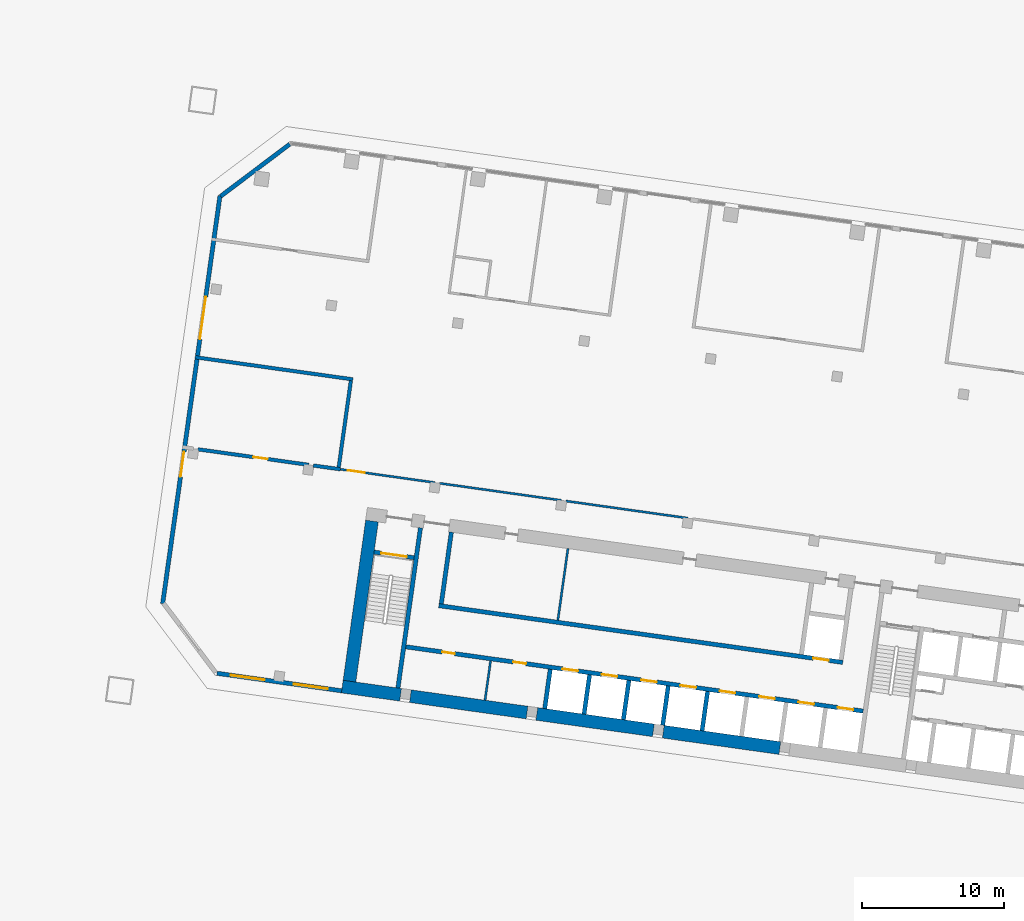
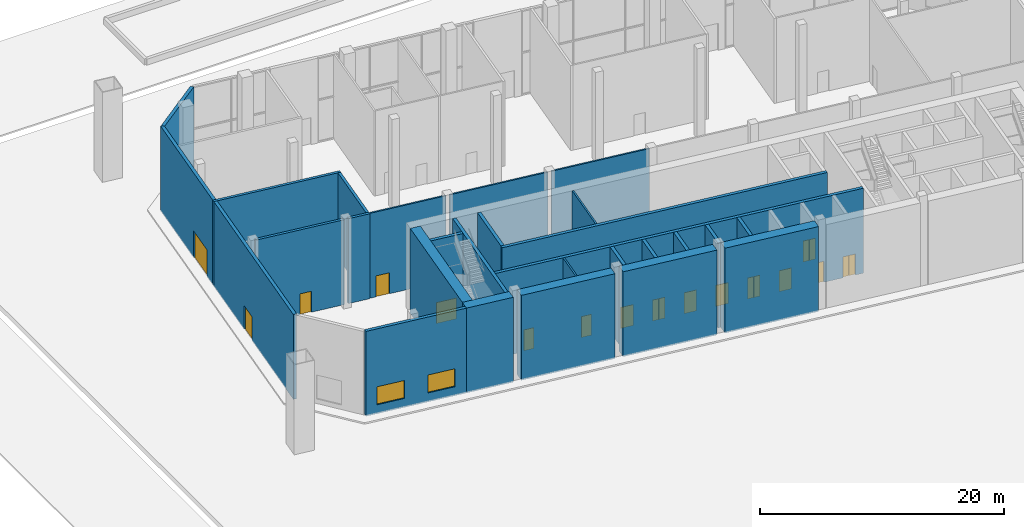
# One storey, part 18 of 34: 27 walls, 16 doors, 2 windows, 18 openings.
"""IFC4 building model written with IfcOpenShell, lengths in metres."""

import ifcopenshell
import ifcopenshell.guid

model = None  # the IFC model being written
_history = None  # IfcOwnerHistory: only IFC2X3 demands one
_inside = {}  # id of a spatial element -> (the spatial element, [elements in it])
_under = {}  # id of a project, library or spatial element -> (it, [spatial elements below it])
_declared = {}  # id of a project -> (the project, [libraries it declares])
_typed = {}  # id of a type object -> (the type object, [elements of that type])
_made_of = {}  # id of a material, layer set ... -> (it, [elements and type objects made of it])


def new_model(schema):
    """Start an empty IFC model of exactly this schema.

    Asked for "IFC4X3", IfcOpenShell would pick the latest addendum, in which some entities
    have other attributes; the version numbers below select the first issue.
    IFC2X3 requires an IfcOwnerHistory on every rooted entity: one is made here for all.
    """
    global model, _history
    if schema == "IFC4X3":
        model = ifcopenshell.file(schema_version=(4, 3, 0, 0))
    else:
        model = ifcopenshell.file(schema=schema)
    _inside.clear()
    _under.clear()
    _declared.clear()
    _typed.clear()
    _made_of.clear()
    _history = None
    if model.schema == "IFC2X3":
        org = make("IfcOrganization", Name="unknown")
        user = make(
            "IfcPersonAndOrganization",
            ThePerson=make("IfcPerson", FamilyName="unknown"),
            TheOrganization=org,
        )
        app = make(
            "IfcApplication",
            ApplicationDeveloper=org,
            Version="unknown",
            ApplicationFullName="unknown",
            ApplicationIdentifier="unknown",
        )
        _history = make(
            "IfcOwnerHistory",
            OwningUser=user,
            OwningApplication=app,
            ChangeAction="ADDED",
            CreationDate=0,
        )
    return model


def make(cls, **values):
    """One entity of the class cls with the attributes given. An attribute that is None is left unset."""
    return model.create_entity(
        cls, **{name: value for name, value in values.items() if value is not None}
    )


def rooted(cls, **values):
    """An entity with a GlobalId (a new one), such as an element, a storey or a relation."""
    return make(cls, GlobalId=ifcopenshell.guid.new(), OwnerHistory=_history, **values)


def si_unit(unit_type, name, prefix=None):
    """IfcSIUnit, for example si_unit("LENGTHUNIT", "METRE", prefix="MILLI")."""
    return make("IfcSIUnit", UnitType=unit_type, Prefix=prefix, Name=name)


def assignment(units):
    """IfcUnitAssignment: the units of a project."""
    return None if units is None else make("IfcUnitAssignment", Units=units)


def point(xyz):
    """IfcCartesianPoint."""
    return None if xyz is None else make("IfcCartesianPoint", Coordinates=xyz)


def direction(xyz):
    """IfcDirection."""
    return None if xyz is None else make("IfcDirection", DirectionRatios=xyz)


def frame(location, z_axis=None, x_axis=None):
    """IfcAxis2Placement3D, a coordinate frame: its origin and axes. An axis left out is left unset."""
    return make(
        "IfcAxis2Placement3D",
        Location=point(location),
        Axis=direction(z_axis),
        RefDirection=direction(x_axis),
    )


def frame_2d(location, x_axis=None):
    """IfcAxis2Placement2D, a coordinate frame in the plane: its origin and x axis."""
    return make(
        "IfcAxis2Placement2D", Location=point(location), RefDirection=direction(x_axis)
    )


def origin():
    """The frame at (0, 0, 0) with its axes left unset."""
    return frame((0.0, 0.0, 0.0))


def place(relative_to, where):
    """IfcLocalPlacement: puts the frame where relative to a parent placement (None: the world)."""
    return make(
        "IfcLocalPlacement", PlacementRelTo=relative_to, RelativePlacement=where
    )


def context(
    kind, dimensions, precision=None, world=None, true_north=None, identifier=None
):
    """IfcGeometricRepresentationContext, for example the 3D "Model" context."""
    return make(
        "IfcGeometricRepresentationContext",
        ContextIdentifier=identifier,
        ContextType=kind,
        CoordinateSpaceDimension=dimensions,
        Precision=precision,
        WorldCoordinateSystem=world,
        TrueNorth=true_north,
    )


def subcontext(parent, identifier, kind, view, scale=None):
    """IfcGeometricRepresentationSubContext, for example "Body" below "Model"."""
    return make(
        "IfcGeometricRepresentationSubContext",
        ContextIdentifier=identifier,
        ContextType=kind,
        ParentContext=parent,
        TargetScale=scale,
        TargetView=view,
    )


def project(units=None, contexts=None):
    """IfcProject with its units and contexts."""
    return rooted(
        "IfcProject",
        Name="project",
        RepresentationContexts=contexts,
        UnitsInContext=assignment(units),
    )


def spatial(cls, under=None, at=None, **own):
    """A site, building, storey or space (cls), placed at a placement, below another one or the project."""
    s = rooted(cls, ObjectPlacement=at, **own)
    if under is not None:
        _under.setdefault(under.id(), (under, []))[1].append(s)
    return s


def profile(cls, at=None, kind="AREA", **sizes):
    """A parametric profile (cls). Its sizes go by their IFC names, for example OverallWidth=200.0."""
    return make(cls, ProfileType=kind, Position=at, **sizes)


def rectangle(**sizes):
    """IfcRectangleProfileDef."""
    return profile("IfcRectangleProfileDef", **sizes)


def extrude(swept, where, along, depth):
    """IfcExtrudedAreaSolid: the profile swept, set in the frame where, extruded along a direction by depth."""
    return make(
        "IfcExtrudedAreaSolid",
        SweptArea=swept,
        Position=where,
        ExtrudedDirection=direction(along),
        Depth=depth,
    )


def shape(context_of_items, identifier, shape_type, items):
    """IfcShapeRepresentation: the items that make up one representation, for example the "Body"."""
    return make(
        "IfcShapeRepresentation",
        ContextOfItems=context_of_items,
        RepresentationIdentifier=identifier,
        RepresentationType=shape_type,
        Items=items,
    )


def material(Name=None, Category=None):
    """IfcMaterial."""
    return make("IfcMaterial", Name=Name, Category=Category)


def layer(
    of_material, thickness, ventilated=None, Name=None, Category=None, Priority=None
):
    """IfcMaterialLayer: one layer of a wall or slab, of a material (None: an air gap)."""
    return make(
        "IfcMaterialLayer",
        Material=of_material,
        LayerThickness=thickness,
        IsVentilated=ventilated,
        Name=Name,
        Category=Category,
        Priority=Priority,
    )


def layer_set(layers, Name=None):
    """IfcMaterialLayerSet."""
    return make("IfcMaterialLayerSet", MaterialLayers=layers, LayerSetName=Name)


def made_of(thing, what):
    """Note that an element or type object is made of a material, layer set ...; save() writes the relation."""
    if what is not None:
        _made_of.setdefault(what.id(), (what, []))[1].append(thing)
    return thing


def type_object(cls, material=None, **own):
    """A type object (cls), such as IfcWallType, which elements share."""
    return made_of(rooted(cls, **own), material)


def element(
    cls,
    number,
    at=None,
    inside=None,
    cuts=None,
    type_object=None,
    material=None,
    context=None,
    identifier="Body",
    shape_type=None,
    held_by="IfcProductDefinitionShape",
    body=None,
    shapes=None,
    **own,
):
    """One element of the class cls, such as IfcWall. Its Tag is "e" and its number.

    at: its placement. inside: the storey or other place that contains it. cuts: it is an
    opening in that element (IfcRelVoidsElement). A single representation is given by context,
    identifier, shape_type and body (its items); several are given by shapes. held_by: the class
    of the entity that holds the representations. save() writes the other relations.
    """
    e = rooted(cls, Tag="e%d" % number, ObjectPlacement=at, **own)
    if body is not None:
        shapes = [shape(context, identifier, shape_type, body)]
    if shapes is not None:
        e.Representation = make(held_by, Representations=shapes)
    if inside is not None:
        _inside.setdefault(inside.id(), (inside, []))[1].append(e)
    if cuts is not None:
        rooted(
            "IfcRelVoidsElement", RelatingBuildingElement=cuts, RelatedOpeningElement=e
        )
    if type_object is not None:
        _typed.setdefault(type_object.id(), (type_object, []))[1].append(e)
    return made_of(e, material)


def fill(opening, filler):
    """IfcRelFillsElement: the door or window that sits in an opening."""
    return rooted(
        "IfcRelFillsElement",
        RelatingOpeningElement=opening,
        RelatedBuildingElement=filler,
    )


def aggregate(whole, parts):
    """IfcRelAggregates: a whole, such as a stair, and the parts it consists of."""
    return rooted("IfcRelAggregates", RelatingObject=whole, RelatedObjects=parts)


def save(model, path):
    """Write the relations noted so far, then the file.

    IfcRelAggregates (storeys below a building ...), IfcRelContainedInSpatialStructure (elements
    in a storey), IfcRelDefinesByType, IfcRelAssociatesMaterial and IfcRelDeclares: one each for
    every whole, place, type object, material and project.
    """
    for whole, parts in _under.values():
        aggregate(whole, parts)
    for where, things in _inside.values():
        rooted(
            "IfcRelContainedInSpatialStructure",
            RelatedElements=things,
            RelatingStructure=where,
        )
    for kind, things in _typed.values():
        rooted("IfcRelDefinesByType", RelatedObjects=things, RelatingType=kind)
    for what, things in _made_of.values():
        rooted("IfcRelAssociatesMaterial", RelatedObjects=things, RelatingMaterial=what)
    for by, libraries in _declared.values():
        rooted("IfcRelDeclares", RelatingContext=by, RelatedDefinitions=libraries)
    model.write(path)


model = new_model("IFC4")

# Units and contexts
model_context = context("Model", 3, precision=1e-05, world=origin(), true_north=direction((0.0, 1.0)))
body_context = subcontext(model_context, "Body", "Model", "MODEL_VIEW")
ifc_project = project(units=[si_unit("LENGTHUNIT", "METRE"), si_unit("AREAUNIT", "SQUARE_METRE"), si_unit("VOLUMEUNIT", "CUBIC_METRE"), si_unit("PLANEANGLEUNIT", "RADIAN"), si_unit("MASSUNIT", "GRAM", prefix="KILO")], contexts=[model_context])

# Site, building, storey
site_placement = place(None, origin())
site = spatial("IfcSite", under=ifc_project, at=site_placement, CompositionType="ELEMENT")
building_placement = place(site_placement, origin())
building = spatial("IfcBuilding", under=site, at=building_placement, Name="Mirante Cascada Hotel Towers", CompositionType="ELEMENT")
storey_placement = place(building_placement, origin())
storey = spatial("IfcBuildingStorey", under=building, at=storey_placement, Name="L00", CompositionType="ELEMENT", Elevation=0.0)

# Walls
ifc_material_1 = material(Name="Masonry block", Category="masonry")
ifc_layer_1 = layer(ifc_material_1, 0.15)
ifc_layer_set_1 = layer_set([ifc_layer_1], Name="Core room partition 150 block EI 30")
wall_type_1 = type_object("IfcWallType", Name="Core room partition 150 block EI 30", PredefinedType="PARTITIONING", material=ifc_layer_set_1)
wall_1_placement = place(storey_placement, frame((-80.448, -13.1879, 0.0), z_axis=(0.0, 0.0, 1.0), x_axis=(0.139176, 0.9902677, 0.0)))
element("IfcWall", 1, at=wall_1_placement, inside=storey, type_object=wall_type_1, Name="Core wall partition T1 L00 4", PredefinedType="PARTITIONING", context=body_context, shape_type="SweptSolid", body=[
    extrude(rectangle(XDim=2.8001, YDim=0.15, at=frame_2d((1.4, 0.0))), origin(), (0.0, 0.0, 1.0), 8.5),
])
wall_2_placement = place(storey_placement, frame((-75.3131, -7.5476, 0.0), z_axis=(0.0, 0.0, 1.0), x_axis=(0.1391782, 0.9902673, 0.0)))
element("IfcWall", 2, at=wall_2_placement, inside=storey, type_object=wall_type_1, Name="Core wall partition T1 L00 5", PredefinedType="PARTITIONING", context=body_context, shape_type="SweptSolid", body=[
    extrude(rectangle(XDim=5.0999, YDim=0.15, at=frame_2d((2.55, 0.0))), origin(), (0.0, 0.0, 1.0), 8.5),
])

# Wall, opening, door
ifc_material_2 = material(Name="Masonry block", Category="masonry")
ifc_layer_2 = layer(ifc_material_2, 0.15)
ifc_layer_set_2 = layer_set([ifc_layer_2], Name="Exit passage wall 150 block EI 120")
wall_type_2 = type_object("IfcWallType", Name="Exit passage wall 150 block EI 120", PredefinedType="PARTITIONING", material=ifc_layer_set_2)
wall_3_placement = place(storey_placement, frame((-90.6666, 3.0927, 0.0), z_axis=(0.0, 0.0, 1.0), x_axis=(0.9902673, -0.1391782, 0.0)))
wall_3 = element("IfcWall", 3, at=wall_3_placement, inside=storey, type_object=wall_type_2, Name="Exit passage wall T1 L00", PredefinedType="PARTITIONING", context=body_context, shape_type="SweptSolid", body=[
    extrude(rectangle(XDim=6.7604, YDim=0.15, at=frame_2d((3.3802, 0.0))), origin(), (0.0, 0.0, 1.0), 8.5),
])
opening_1_placement = place(wall_3_placement, frame((0.5475, 0.0, 0.0)))
opening_1 = element("IfcOpeningElement", 4, at=opening_1_placement, cuts=wall_3, Name="Opening DP1-L00-02", PredefinedType="OPENING", context=body_context, shape_type="SweptSolid", body=[
    extrude(rectangle(XDim=1.2, YDim=2.1, at=frame_2d((0.6, 1.05))), frame((0.0, 0.075, 0.0), z_axis=(0.0, -1.0, 0.0), x_axis=(1.0, 0.0, 0.0)), (0.0, 0.0, 1.0), 0.15),
])
ifc_material_3 = material(Name="Hollow metal fire door leaf")
door_type_1 = type_object("IfcDoorType", Name="Fire door 1200x2100 FD60", OperationType="NOTDEFINED", PredefinedType="DOOR", material=ifc_material_3)
door_1_placement = place(opening_1_placement, frame((1.2, 0.0, 0.0), z_axis=(0.0, 0.0, 1.0), x_axis=(-1.0, 0.0, 0.0)))
door_1 = element("IfcDoor", 5, at=door_1_placement, inside=storey, type_object=door_type_1, Name="Door DP1-L00-02", OperationType="SINGLE_SWING_RIGHT", OverallHeight=2.1, OverallWidth=1.2, PredefinedType="DOOR", context=body_context, shape_type="SweptSolid", body=[
    extrude(rectangle(XDim=1.2, YDim=2.1, at=frame_2d((0.6, 1.05))), frame((0.0, 0.025, 0.0), z_axis=(0.0, -1.0, 0.0), x_axis=(1.0, 0.0, 0.0)), (0.0, 0.0, 1.0), 0.05),
])
fill(opening_1, door_1)

# Walls
for number, where, z_axis, x_axis, name in (
    (6, (-83.6464, 2.1061, 0.0), (0.0, 0.0, 1.0), (0.990268, -0.1391735, 0.0), "Exit passage wall T1 L00"),
    (7, (-74.734, 0.8535, 0.0), (0.0, 0.0, 1.0), (0.990268, -0.1391735, 0.0), "Exit passage wall T1 L00"),
):
    element("IfcWall", number, at=place(storey_placement, frame(where, z_axis=z_axis, x_axis=x_axis)), inside=storey, type_object=wall_type_2, Name=name, PredefinedType="PARTITIONING", context=body_context, shape_type="SweptSolid", body=[
        extrude(rectangle(XDim=8.6712, YDim=0.15, at=frame_2d((4.3356, 0.0))), origin(), (0.0, 0.0, 1.0), 8.5),
    ])
ifc_material_4 = material(Name="Masonry block", Category="masonry")
ifc_layer_3 = layer(ifc_material_4, 0.25)
ifc_layer_set_3 = layer_set([ifc_layer_3], Name="Plant room wall 250 block EI 120")
wall_type_3 = type_object("IfcWallType", Name="Plant room wall 250 block EI 120", PredefinedType="PARTITIONING", material=ifc_layer_set_3)
wall_4_placement = place(storey_placement, frame((-100.8818, 10.9913, 0.0), z_axis=(0.0, 0.0, 1.0), x_axis=(0.9902671, -0.1391798, 0.0)))
element("IfcWall", 8, at=wall_4_placement, inside=storey, type_object=wall_type_3, Name="Plant room wall T1 L00", PredefinedType="PARTITIONING", context=body_context, shape_type="SweptSolid", body=[
    extrude(rectangle(XDim=11.2251, YDim=0.25, at=frame_2d((5.6126, 0.0))), origin(), (0.0, 0.0, 1.0), 8.5),
])
wall_5_placement = place(storey_placement, frame((-90.7631, 3.2325, 0.0), z_axis=(0.0, 0.0, 1.0), x_axis=(0.139171, 0.9902684, 0.0)))
element("IfcWall", 9, at=wall_5_placement, inside=storey, type_object=wall_type_3, Name="Plant room wall T1 L00", PredefinedType="PARTITIONING", context=body_context, shape_type="SweptSolid", body=[
    extrude(rectangle(XDim=6.16, YDim=0.25, at=frame_2d((3.08, 0.0))), origin(), (0.0, 0.0, 1.0), 8.5),
])

# Wall, opening, door
wall_6_placement = place(storey_placement, frame((-100.679, 4.4999, 0.0), z_axis=(0.0, 0.0, 1.0), x_axis=(0.9902671, -0.1391799, 0.0)))
wall_6 = element("IfcWall", 10, at=wall_6_placement, inside=storey, type_object=wall_type_3, Name="Plant room wall T1 L00", PredefinedType="PARTITIONING", context=body_context, shape_type="SweptSolid", body=[
    extrude(rectangle(XDim=7.8711, YDim=0.25, at=frame_2d((3.9356, 0.0))), origin(), (0.0, 0.0, 1.0), 8.5),
])
opening_2_placement = place(wall_6_placement, frame((3.9457, 0.0, 0.0)))
opening_2 = element("IfcOpeningElement", 11, at=opening_2_placement, cuts=wall_6, Name="Opening DP1-L00-05", PredefinedType="OPENING", context=body_context, shape_type="SweptSolid", body=[
    extrude(rectangle(XDim=1.0, YDim=2.1, at=frame_2d((0.5, 1.05))), frame((0.0, 0.125, 0.0), z_axis=(0.0, -1.0, 0.0), x_axis=(1.0, 0.0, 0.0)), (0.0, 0.0, 1.0), 0.25),
])
ifc_material_5 = material(Name="Hollow metal fire door leaf")
door_type_2 = type_object("IfcDoorType", Name="Fire door 1000x2100 FD60", OperationType="NOTDEFINED", PredefinedType="DOOR", material=ifc_material_5)
door_2_placement = place(opening_2_placement, origin())
door_2 = element("IfcDoor", 12, at=door_2_placement, inside=storey, type_object=door_type_2, Name="Door DP1-L00-05", OperationType="SINGLE_SWING_LEFT", OverallHeight=2.1, OverallWidth=1.0, PredefinedType="DOOR", context=body_context, shape_type="SweptSolid", body=[
    extrude(rectangle(XDim=1.0, YDim=2.1, at=frame_2d((0.5, 1.05))), frame((0.0, 0.025, 0.0), z_axis=(0.0, -1.0, 0.0), x_axis=(1.0, 0.0, 0.0)), (0.0, 0.0, 1.0), 0.05),
])
fill(opening_2, door_2)

# Wall
wall_7_placement = place(storey_placement, frame((-92.5588, 3.3586, 0.0), z_axis=(0.0, 0.0, 1.0), x_axis=(0.9902691, -0.139166, 0.0)))
element("IfcWall", 13, at=wall_7_placement, inside=storey, type_object=wall_type_3, Name="Plant room wall T1 L00", PredefinedType="PARTITIONING", context=body_context, shape_type="SweptSolid", body=[
    extrude(rectangle(XDim=1.9308, YDim=0.25, at=frame_2d((0.9654, 0.0))), origin(), (0.0, 0.0, 1.0), 8.5),
])

# Wall, openings, windows
ifc_material_6 = material(Name="Precast concrete C40/50", Category="concrete")
ifc_layer_4 = layer(ifc_material_6, 0.3)
ifc_layer_set_4 = layer_set([ifc_layer_4], Name="Precast concrete C40/50 cladding wall 300")
wall_type_4 = type_object("IfcWallType", Name="Precast concrete C40/50 cladding wall 300", PredefinedType="STANDARD", material=ifc_layer_set_4)
wall_8_placement = place(storey_placement, frame((-90.5541, -12.5249, 0.0), z_axis=(0.0, 0.0, 1.0), x_axis=(-0.9902678, 0.1391749, 0.0)))
wall_8 = element("IfcWall", 14, at=wall_8_placement, inside=storey, type_object=wall_type_4, Name="Rear cladding wall T1 L00 1", PredefinedType="STANDARD", context=body_context, shape_type="SweptSolid", body=[
    extrude(rectangle(XDim=8.8759, YDim=0.3, at=frame_2d((4.438, 0.0))), origin(), (0.0, 0.0, 1.0), 8.5),
])
opening_3_placement = place(wall_8_placement, frame((1.0012, 0.0, 0.9)))
opening_3 = element("IfcOpeningElement", 15, at=opening_3_placement, cuts=wall_8, Name="Opening W1-00-01", PredefinedType="OPENING", context=body_context, shape_type="SweptSolid", body=[
    extrude(rectangle(XDim=2.4, YDim=1.8, at=frame_2d((1.2, 0.9))), frame((0.0, 0.15, 0.0), z_axis=(0.0, -1.0, 0.0), x_axis=(1.0, 0.0, 0.0)), (0.0, 0.0, 1.0), 0.3),
])
opening_4_placement = place(wall_8_placement, frame((5.4923, 0.0, 0.9)))
opening_4 = element("IfcOpeningElement", 16, at=opening_4_placement, cuts=wall_8, Name="Opening W1-00-02", PredefinedType="OPENING", context=body_context, shape_type="SweptSolid", body=[
    extrude(rectangle(XDim=2.4, YDim=1.8, at=frame_2d((1.2, 0.9))), frame((0.0, 0.15, 0.0), z_axis=(0.0, -1.0, 0.0), x_axis=(1.0, 0.0, 0.0)), (0.0, 0.0, 1.0), 0.3),
])
ifc_material_7 = material(Name="Aluminium frame with clear double glazing", Category="aluminium")
window_type = type_object("IfcWindowType", Name="Punched window 2400x1800", PartitioningType="DOUBLE_PANEL_VERTICAL", PredefinedType="WINDOW", material=ifc_material_7)
window_1_placement = place(opening_3_placement, origin())
window_1 = element("IfcWindow", 17, at=window_1_placement, inside=storey, type_object=window_type, Name="Window W1-00-01", OverallHeight=1.8, OverallWidth=2.4, PartitioningType="SINGLE_PANEL", PredefinedType="WINDOW", context=body_context, shape_type="SweptSolid", body=[
    extrude(rectangle(XDim=2.4, YDim=1.8, at=frame_2d((1.2, 0.9))), frame((0.0, 0.03, 0.0), z_axis=(0.0, -1.0, 0.0), x_axis=(1.0, 0.0, 0.0)), (0.0, 0.0, 1.0), 0.06),
])
fill(opening_3, window_1)
window_2_placement = place(opening_4_placement, origin())
window_2 = element("IfcWindow", 18, at=window_2_placement, inside=storey, type_object=window_type, Name="Window W1-00-02", OverallHeight=1.8, OverallWidth=2.4, PartitioningType="SINGLE_PANEL", PredefinedType="WINDOW", context=body_context, shape_type="SweptSolid", body=[
    extrude(rectangle(XDim=2.4, YDim=1.8, at=frame_2d((1.2, 0.9))), frame((0.0, 0.03, 0.0), z_axis=(0.0, -1.0, 0.0), x_axis=(1.0, 0.0, 0.0)), (0.0, 0.0, 1.0), 0.06),
])
fill(opening_4, window_2)

# Wall
wall_9_placement = place(storey_placement, frame((-99.0919, 22.3343, 0.0), z_axis=(0.0, 0.0, 1.0), x_axis=(0.7986362, 0.6018141, 0.0)))
element("IfcWall", 19, at=wall_9_placement, inside=storey, type_object=wall_type_4, Name="Corner cladding wall T1 L00 outer front", PredefinedType="STANDARD", context=body_context, shape_type="SweptSolid", body=[
    extrude(rectangle(XDim=6.1157, YDim=0.3, at=frame_2d((3.0578, 0.0))), origin(), (0.0, 0.0, 1.0), 8.5),
])

# Wall, openings, doors
ifc_material_8 = material(Name="Precast concrete C40/50", Category="concrete")
ifc_layer_5 = layer(ifc_material_8, 0.3)
ifc_layer_set_5 = layer_set([ifc_layer_5], Name="Precast concrete C40/50 cladding wall 300 EI 120")
wall_type_5 = type_object("IfcWallType", Name="Precast concrete C40/50 cladding wall 300 EI 120", PredefinedType="STANDARD", material=ifc_layer_set_5)
wall_10_placement = place(storey_placement, frame((-103.1723, -6.3846, 0.0), z_axis=(0.0, 0.0, 1.0), x_axis=(0.1391719, 0.9902682, 0.0)))
wall_10 = element("IfcWall", 20, at=wall_10_placement, inside=storey, type_object=wall_type_5, Name="Outer end wall T1 L00", PredefinedType="STANDARD", context=body_context, shape_type="SweptSolid", body=[
    extrude(rectangle(XDim=29.0511, YDim=0.3, at=frame_2d((14.5256, 0.0))), origin(), (0.0, 0.0, 1.0), 8.5),
])
opening_5_placement = place(wall_10_placement, frame((9.0255, 0.0, 0.0)))
opening_5 = element("IfcOpeningElement", 21, at=opening_5_placement, cuts=wall_10, Name="Opening D1-00-91", PredefinedType="OPENING", context=body_context, shape_type="SweptSolid", body=[
    extrude(rectangle(XDim=1.8, YDim=2.4, at=frame_2d((0.9, 1.2))), frame((0.0, 0.15, 0.0), z_axis=(0.0, -1.0, 0.0), x_axis=(1.0, 0.0, 0.0)), (0.0, 0.0, 1.0), 0.3),
])
opening_6_placement = place(wall_10_placement, frame((18.8377, 0.0, 0.0)))
opening_6 = element("IfcOpeningElement", 22, at=opening_6_placement, cuts=wall_10, Name="Opening D1-00-92", PredefinedType="OPENING", context=body_context, shape_type="SweptSolid", body=[
    extrude(rectangle(XDim=3.0, YDim=2.7, at=frame_2d((1.5, 1.35))), frame((0.0, 0.15, 0.0), z_axis=(0.0, -1.0, 0.0), x_axis=(1.0, 0.0, 0.0)), (0.0, 0.0, 1.0), 0.3),
])
ifc_material_9 = material(Name="Aluminium frame with clear laminated glazing", Category="aluminium")
door_type_3 = type_object("IfcDoorType", Name="Exit double door 3000x2700", OperationType="DOUBLE_DOOR_SINGLE_SWING", PredefinedType="DOOR", material=ifc_material_9)
door_3_placement = place(opening_6_placement, origin())
door_3 = element("IfcDoor", 23, at=door_3_placement, inside=storey, type_object=door_type_3, Name="Exit door D1-00-92", OperationType="DOUBLE_DOOR_SINGLE_SWING", OverallHeight=2.7, OverallWidth=3.0, PredefinedType="DOOR", context=body_context, shape_type="SweptSolid", body=[
    extrude(rectangle(XDim=1.495, YDim=2.7, at=frame_2d((0.7475, 1.35))), frame((0.0, 0.025, 0.0), z_axis=(0.0, -1.0, 0.0), x_axis=(1.0, 0.0, 0.0)), (0.0, 0.0, 1.0), 0.05),
    extrude(rectangle(XDim=1.495, YDim=2.7, at=frame_2d((2.2525, 1.35))), frame((0.0, 0.025, 0.0), z_axis=(0.0, -1.0, 0.0), x_axis=(1.0, 0.0, 0.0)), (0.0, 0.0, 1.0), 0.05),
])
fill(opening_6, door_3)
ifc_material_10 = material(Name="Galvanised hollow metal fire door leaf")
door_type_4 = type_object("IfcDoorType", Name="Stair discharge door 1800x2400 FD60", OperationType="DOUBLE_DOOR_SINGLE_SWING", PredefinedType="DOOR", material=ifc_material_10)
door_4_placement = place(opening_5_placement, origin())
door_4 = element("IfcDoor", 24, at=door_4_placement, inside=storey, type_object=door_type_4, Name="Stair discharge door D1-00-91", OperationType="DOUBLE_DOOR_SINGLE_SWING", OverallHeight=2.4, OverallWidth=1.8, PredefinedType="DOOR", context=body_context, shape_type="SweptSolid", body=[
    extrude(rectangle(XDim=0.895, YDim=2.4, at=frame_2d((0.4475, 1.2))), frame((0.0, 0.025, 0.0), z_axis=(0.0, -1.0, 0.0), x_axis=(1.0, 0.0, 0.0)), (0.0, 0.0, 1.0), 0.05),
    extrude(rectangle(XDim=0.895, YDim=2.4, at=frame_2d((1.3525, 1.2))), frame((0.0, 0.025, 0.0), z_axis=(0.0, -1.0, 0.0), x_axis=(1.0, 0.0, 0.0)), (0.0, 0.0, 1.0), 0.05),
])
fill(opening_5, door_4)

# Wall
ifc_material_11 = material(Name="Concrete C50/60", Category="concrete")
ifc_layer_6 = layer(ifc_material_11, 0.3)
ifc_layer_set_6 = layer_set([ifc_layer_6], Name="RC core wall 300 C50/60")
wall_type_6 = type_object("IfcWallType", Name="RC core wall 300 C50/60", PredefinedType="SHEAR", material=ifc_layer_set_6)
wall_11_placement = place(storey_placement, frame((-86.5877, -12.325, 0.0), z_axis=(0.0, 0.0, 1.0), x_axis=(0.1391749, 0.9902678, 0.0)))
element("IfcWall", 25, at=wall_11_placement, inside=storey, type_object=wall_type_6, Name="Core wall T1:L00:8", PredefinedType="SHEAR", context=body_context, shape_type="SweptSolid", body=[
    extrude(rectangle(XDim=11.4, YDim=0.3, at=frame_2d((5.7, 0.0))), origin(), (0.0, 0.0, 1.0), 8.5),
])

# Wall, opening, door
wall_12_placement = place(storey_placement, frame((-85.4489, -3.1441, 0.0), z_axis=(0.0, 0.0, 1.0), x_axis=(-0.9902697, 0.1391613, 0.0)))
wall_12 = element("IfcWall", 26, at=wall_12_placement, inside=storey, type_object=wall_type_6, Name="Core wall T1:L00:11", PredefinedType="SHEAR", context=body_context, shape_type="SweptSolid", body=[
    extrude(rectangle(XDim=2.8499, YDim=0.3, at=frame_2d((1.425, 0.0))), origin(), (0.0, 0.0, 1.0), 8.5),
])
opening_7_placement = place(wall_12_placement, frame((0.525, 0.0, 0.0)))
opening_7 = element("IfcOpeningElement", 27, at=opening_7_placement, cuts=wall_12, Name="Opening D1-00-C20", PredefinedType="OPENING", context=body_context, shape_type="SweptSolid", body=[
    extrude(rectangle(XDim=1.8, YDim=2.1, at=frame_2d((0.9, 1.05))), frame((0.0, 0.15, 0.0), z_axis=(0.0, -1.0, 0.0), x_axis=(1.0, 0.0, 0.0)), (0.0, 0.0, 1.0), 0.3),
])
ifc_material_12 = material(Name="Hollow metal fire door leaf")
door_type_5 = type_object("IfcDoorType", Name="Double fire door 1800x2100 FD60", OperationType="DOUBLE_DOOR_SINGLE_SWING", PredefinedType="DOOR", material=ifc_material_12)
door_5_placement = place(opening_7_placement, origin())
door_5 = element("IfcDoor", 28, at=door_5_placement, inside=storey, type_object=door_type_5, Name="Stair door T1 L00 20", OperationType="DOUBLE_DOOR_SINGLE_SWING", OverallHeight=2.1, OverallWidth=1.8, PredefinedType="DOOR", context=body_context, shape_type="SweptSolid", body=[
    extrude(rectangle(XDim=0.895, YDim=2.1, at=frame_2d((0.4475, 1.05))), frame((0.0, 0.025, 0.0), z_axis=(0.0, -1.0, 0.0), x_axis=(1.0, 0.0, 0.0)), (0.0, 0.0, 1.0), 0.05),
    extrude(rectangle(XDim=0.895, YDim=2.1, at=frame_2d((1.3525, 1.05))), frame((0.0, 0.025, 0.0), z_axis=(0.0, -1.0, 0.0), x_axis=(1.0, 0.0, 0.0)), (0.0, 0.0, 1.0), 0.05),
])
fill(opening_7, door_5)

# Wall, openings, doors
wall_13_placement = place(storey_placement, frame((-53.7953, -13.9547, 0.0), z_axis=(0.0, 0.0, 1.0), x_axis=(-0.990268, 0.1391733, 0.0)))
wall_13 = element("IfcWall", 29, at=wall_13_placement, inside=storey, type_object=wall_type_6, Name="Core wall T1:L00:24", PredefinedType="SHEAR", context=body_context, shape_type="SweptSolid", body=[
    extrude(rectangle(XDim=32.5501, YDim=0.3, at=frame_2d((16.275, 0.0))), origin(), (0.0, 0.0, 1.0), 8.5),
])
opening_8_placement = place(wall_13_placement, frame((0.7, 0.0, 0.0)))
opening_8 = element("IfcOpeningElement", 30, at=opening_8_placement, cuts=wall_13, Name="Opening LD", PredefinedType="OPENING", context=body_context, shape_type="SweptSolid", body=[
    extrude(rectangle(XDim=1.1, YDim=2.1, at=frame_2d((0.55, 1.05))), frame((0.0, 0.15, 0.0), z_axis=(0.0, -1.0, 0.0), x_axis=(1.0, 0.0, 0.0)), (0.0, 0.0, 1.0), 0.3),
])
opening_9_placement = place(wall_13_placement, frame((3.5, 0.0, 0.0)))
opening_9 = element("IfcOpeningElement", 31, at=opening_9_placement, cuts=wall_13, Name="Opening LD", PredefinedType="OPENING", context=body_context, shape_type="SweptSolid", body=[
    extrude(rectangle(XDim=1.1, YDim=2.1, at=frame_2d((0.55, 1.05))), frame((0.0, 0.15, 0.0), z_axis=(0.0, -1.0, 0.0), x_axis=(1.0, 0.0, 0.0)), (0.0, 0.0, 1.0), 0.3),
])
opening_10_placement = place(wall_13_placement, frame((6.3, 0.0, 0.0)))
opening_10 = element("IfcOpeningElement", 32, at=opening_10_placement, cuts=wall_13, Name="Opening LD", PredefinedType="OPENING", context=body_context, shape_type="SweptSolid", body=[
    extrude(rectangle(XDim=1.1, YDim=2.1, at=frame_2d((0.55, 1.05))), frame((0.0, 0.15, 0.0), z_axis=(0.0, -1.0, 0.0), x_axis=(1.0, 0.0, 0.0)), (0.0, 0.0, 1.0), 0.3),
])
opening_11_placement = place(wall_13_placement, frame((9.1, 0.0, 0.0)))
opening_11 = element("IfcOpeningElement", 33, at=opening_11_placement, cuts=wall_13, Name="Opening LD", PredefinedType="OPENING", context=body_context, shape_type="SweptSolid", body=[
    extrude(rectangle(XDim=1.1, YDim=2.1, at=frame_2d((0.55, 1.05))), frame((0.0, 0.15, 0.0), z_axis=(0.0, -1.0, 0.0), x_axis=(1.0, 0.0, 0.0)), (0.0, 0.0, 1.0), 0.3),
])
opening_12_placement = place(wall_13_placement, frame((11.9, 0.0, 0.0)))
opening_12 = element("IfcOpeningElement", 34, at=opening_12_placement, cuts=wall_13, Name="Opening LD", PredefinedType="OPENING", context=body_context, shape_type="SweptSolid", body=[
    extrude(rectangle(XDim=1.1, YDim=2.1, at=frame_2d((0.55, 1.05))), frame((0.0, 0.15, 0.0), z_axis=(0.0, -1.0, 0.0), x_axis=(1.0, 0.0, 0.0)), (0.0, 0.0, 1.0), 0.3),
])
opening_13_placement = place(wall_13_placement, frame((14.7, 0.0, 0.0)))
opening_13 = element("IfcOpeningElement", 35, at=opening_13_placement, cuts=wall_13, Name="Opening LD", PredefinedType="OPENING", context=body_context, shape_type="SweptSolid", body=[
    extrude(rectangle(XDim=1.1, YDim=2.1, at=frame_2d((0.55, 1.05))), frame((0.0, 0.15, 0.0), z_axis=(0.0, -1.0, 0.0), x_axis=(1.0, 0.0, 0.0)), (0.0, 0.0, 1.0), 0.3),
])
opening_14_placement = place(wall_13_placement, frame((17.5, 0.0, 0.0)))
opening_14 = element("IfcOpeningElement", 36, at=opening_14_placement, cuts=wall_13, Name="Opening LD", PredefinedType="OPENING", context=body_context, shape_type="SweptSolid", body=[
    extrude(rectangle(XDim=1.1, YDim=2.1, at=frame_2d((0.55, 1.05))), frame((0.0, 0.15, 0.0), z_axis=(0.0, -1.0, 0.0), x_axis=(1.0, 0.0, 0.0)), (0.0, 0.0, 1.0), 0.3),
])
opening_15_placement = place(wall_13_placement, frame((20.3, 0.0, 0.0)))
opening_15 = element("IfcOpeningElement", 37, at=opening_15_placement, cuts=wall_13, Name="Opening LD", PredefinedType="OPENING", context=body_context, shape_type="SweptSolid", body=[
    extrude(rectangle(XDim=1.1, YDim=2.1, at=frame_2d((0.55, 1.05))), frame((0.0, 0.15, 0.0), z_axis=(0.0, -1.0, 0.0), x_axis=(1.0, 0.0, 0.0)), (0.0, 0.0, 1.0), 0.3),
])
opening_16_placement = place(wall_13_placement, frame((24.0, 0.0, 0.0)))
opening_16 = element("IfcOpeningElement", 38, at=opening_16_placement, cuts=wall_13, Name="Opening D1-00-C28", PredefinedType="OPENING", context=body_context, shape_type="SweptSolid", body=[
    extrude(rectangle(XDim=0.9, YDim=2.1, at=frame_2d((0.45, 1.05))), frame((0.0, 0.15, 0.0), z_axis=(0.0, -1.0, 0.0), x_axis=(1.0, 0.0, 0.0)), (0.0, 0.0, 1.0), 0.3),
])
opening_17_placement = place(wall_13_placement, frame((29.075, 0.0, 0.0)))
opening_17 = element("IfcOpeningElement", 39, at=opening_17_placement, cuts=wall_13, Name="Opening D1-00-C29", PredefinedType="OPENING", context=body_context, shape_type="SweptSolid", body=[
    extrude(rectangle(XDim=0.9, YDim=2.1, at=frame_2d((0.45, 1.05))), frame((0.0, 0.15, 0.0), z_axis=(0.0, -1.0, 0.0), x_axis=(1.0, 0.0, 0.0)), (0.0, 0.0, 1.0), 0.3),
])
ifc_material_13 = material(Name="Hollow metal fire door leaf")
door_type_6 = type_object("IfcDoorType", Name="Fire door 900x2100 FD60", OperationType="NOTDEFINED", PredefinedType="DOOR", material=ifc_material_13)
door_6_placement = place(opening_16_placement, origin())
door_6 = element("IfcDoor", 40, at=door_6_placement, inside=storey, type_object=door_type_6, Name="Room door T1 L00 28", OperationType="SINGLE_SWING_LEFT", OverallHeight=2.1, OverallWidth=0.9, PredefinedType="DOOR", context=body_context, shape_type="SweptSolid", body=[
    extrude(rectangle(XDim=0.9, YDim=2.1, at=frame_2d((0.45, 1.05))), frame((0.0, 0.025, 0.0), z_axis=(0.0, -1.0, 0.0), x_axis=(1.0, 0.0, 0.0)), (0.0, 0.0, 1.0), 0.05),
])
fill(opening_16, door_6)
door_7_placement = place(opening_17_placement, origin())
door_7 = element("IfcDoor", 41, at=door_7_placement, inside=storey, type_object=door_type_6, Name="Room door T1 L00 29", OperationType="SINGLE_SWING_LEFT", OverallHeight=2.1, OverallWidth=0.9, PredefinedType="DOOR", context=body_context, shape_type="SweptSolid", body=[
    extrude(rectangle(XDim=0.9, YDim=2.1, at=frame_2d((0.45, 1.05))), frame((0.0, 0.025, 0.0), z_axis=(0.0, -1.0, 0.0), x_axis=(1.0, 0.0, 0.0)), (0.0, 0.0, 1.0), 0.05),
])
fill(opening_17, door_7)
ifc_material_14 = material(Name="Stainless steel", Category="steel")
door_type_7 = type_object("IfcDoorType", Name="Lift landing door 1100x2100 EI 120", OperationType="DOUBLE_DOOR_SLIDING", PredefinedType="DOOR", material=ifc_material_14)
door_8_placement = place(opening_8_placement, origin())
door_8 = element("IfcDoor", 42, at=door_8_placement, inside=storey, type_object=door_type_7, Name="Lift landing door LR1-1 L00", OperationType="DOUBLE_DOOR_SLIDING", OverallHeight=2.1, OverallWidth=1.1, PredefinedType="DOOR", context=body_context, shape_type="SweptSolid", body=[
    extrude(rectangle(XDim=0.545, YDim=2.1, at=frame_2d((0.2725, 1.05))), frame((0.0, 0.025, 0.0), z_axis=(0.0, -1.0, 0.0), x_axis=(1.0, 0.0, 0.0)), (0.0, 0.0, 1.0), 0.05),
    extrude(rectangle(XDim=0.545, YDim=2.1, at=frame_2d((0.8275, 1.05))), frame((0.0, 0.025, 0.0), z_axis=(0.0, -1.0, 0.0), x_axis=(1.0, 0.0, 0.0)), (0.0, 0.0, 1.0), 0.05),
])
fill(opening_8, door_8)
door_9_placement = place(opening_9_placement, origin())
door_9 = element("IfcDoor", 43, at=door_9_placement, inside=storey, type_object=door_type_7, Name="Lift landing door LR1-2 L00", OperationType="DOUBLE_DOOR_SLIDING", OverallHeight=2.1, OverallWidth=1.1, PredefinedType="DOOR", context=body_context, shape_type="SweptSolid", body=[
    extrude(rectangle(XDim=0.545, YDim=2.1, at=frame_2d((0.2725, 1.05))), frame((0.0, 0.025, 0.0), z_axis=(0.0, -1.0, 0.0), x_axis=(1.0, 0.0, 0.0)), (0.0, 0.0, 1.0), 0.05),
    extrude(rectangle(XDim=0.545, YDim=2.1, at=frame_2d((0.8275, 1.05))), frame((0.0, 0.025, 0.0), z_axis=(0.0, -1.0, 0.0), x_axis=(1.0, 0.0, 0.0)), (0.0, 0.0, 1.0), 0.05),
])
fill(opening_9, door_9)
door_10_placement = place(opening_10_placement, origin())
door_10 = element("IfcDoor", 44, at=door_10_placement, inside=storey, type_object=door_type_7, Name="Lift landing door SV1-1 L00", OperationType="DOUBLE_DOOR_SLIDING", OverallHeight=2.1, OverallWidth=1.1, PredefinedType="DOOR", context=body_context, shape_type="SweptSolid", body=[
    extrude(rectangle(XDim=0.545, YDim=2.1, at=frame_2d((0.2725, 1.05))), frame((0.0, 0.025, 0.0), z_axis=(0.0, -1.0, 0.0), x_axis=(1.0, 0.0, 0.0)), (0.0, 0.0, 1.0), 0.05),
    extrude(rectangle(XDim=0.545, YDim=2.1, at=frame_2d((0.8275, 1.05))), frame((0.0, 0.025, 0.0), z_axis=(0.0, -1.0, 0.0), x_axis=(1.0, 0.0, 0.0)), (0.0, 0.0, 1.0), 0.05),
])
fill(opening_10, door_10)
door_11_placement = place(opening_11_placement, origin())
door_11 = element("IfcDoor", 45, at=door_11_placement, inside=storey, type_object=door_type_7, Name="Lift landing door SV1-2 L00", OperationType="DOUBLE_DOOR_SLIDING", OverallHeight=2.1, OverallWidth=1.1, PredefinedType="DOOR", context=body_context, shape_type="SweptSolid", body=[
    extrude(rectangle(XDim=0.545, YDim=2.1, at=frame_2d((0.2725, 1.05))), frame((0.0, 0.025, 0.0), z_axis=(0.0, -1.0, 0.0), x_axis=(1.0, 0.0, 0.0)), (0.0, 0.0, 1.0), 0.05),
    extrude(rectangle(XDim=0.545, YDim=2.1, at=frame_2d((0.8275, 1.05))), frame((0.0, 0.025, 0.0), z_axis=(0.0, -1.0, 0.0), x_axis=(1.0, 0.0, 0.0)), (0.0, 0.0, 1.0), 0.05),
])
fill(opening_11, door_11)
door_12_placement = place(opening_12_placement, origin())
door_12 = element("IfcDoor", 46, at=door_12_placement, inside=storey, type_object=door_type_7, Name="Lift landing door SV1-3 L00", OperationType="DOUBLE_DOOR_SLIDING", OverallHeight=2.1, OverallWidth=1.1, PredefinedType="DOOR", context=body_context, shape_type="SweptSolid", body=[
    extrude(rectangle(XDim=0.545, YDim=2.1, at=frame_2d((0.2725, 1.05))), frame((0.0, 0.025, 0.0), z_axis=(0.0, -1.0, 0.0), x_axis=(1.0, 0.0, 0.0)), (0.0, 0.0, 1.0), 0.05),
    extrude(rectangle(XDim=0.545, YDim=2.1, at=frame_2d((0.8275, 1.05))), frame((0.0, 0.025, 0.0), z_axis=(0.0, -1.0, 0.0), x_axis=(1.0, 0.0, 0.0)), (0.0, 0.0, 1.0), 0.05),
])
fill(opening_12, door_12)
door_13_placement = place(opening_13_placement, origin())
door_13 = element("IfcDoor", 47, at=door_13_placement, inside=storey, type_object=door_type_7, Name="Lift landing door SV1-4 L00", OperationType="DOUBLE_DOOR_SLIDING", OverallHeight=2.1, OverallWidth=1.1, PredefinedType="DOOR", context=body_context, shape_type="SweptSolid", body=[
    extrude(rectangle(XDim=0.545, YDim=2.1, at=frame_2d((0.2725, 1.05))), frame((0.0, 0.025, 0.0), z_axis=(0.0, -1.0, 0.0), x_axis=(1.0, 0.0, 0.0)), (0.0, 0.0, 1.0), 0.05),
    extrude(rectangle(XDim=0.545, YDim=2.1, at=frame_2d((0.8275, 1.05))), frame((0.0, 0.025, 0.0), z_axis=(0.0, -1.0, 0.0), x_axis=(1.0, 0.0, 0.0)), (0.0, 0.0, 1.0), 0.05),
])
fill(opening_13, door_13)
door_14_placement = place(opening_14_placement, origin())
door_14 = element("IfcDoor", 48, at=door_14_placement, inside=storey, type_object=door_type_7, Name="Lift landing door PS1-1 L00", OperationType="DOUBLE_DOOR_SLIDING", OverallHeight=2.1, OverallWidth=1.1, PredefinedType="DOOR", context=body_context, shape_type="SweptSolid", body=[
    extrude(rectangle(XDim=0.545, YDim=2.1, at=frame_2d((0.2725, 1.05))), frame((0.0, 0.025, 0.0), z_axis=(0.0, -1.0, 0.0), x_axis=(1.0, 0.0, 0.0)), (0.0, 0.0, 1.0), 0.05),
    extrude(rectangle(XDim=0.545, YDim=2.1, at=frame_2d((0.8275, 1.05))), frame((0.0, 0.025, 0.0), z_axis=(0.0, -1.0, 0.0), x_axis=(1.0, 0.0, 0.0)), (0.0, 0.0, 1.0), 0.05),
])
fill(opening_14, door_14)
door_15_placement = place(opening_15_placement, origin())
door_15 = element("IfcDoor", 49, at=door_15_placement, inside=storey, type_object=door_type_7, Name="Lift landing door PS1-2 L00", OperationType="DOUBLE_DOOR_SLIDING", OverallHeight=2.1, OverallWidth=1.1, PredefinedType="DOOR", context=body_context, shape_type="SweptSolid", body=[
    extrude(rectangle(XDim=0.545, YDim=2.1, at=frame_2d((0.2725, 1.05))), frame((0.0, 0.025, 0.0), z_axis=(0.0, -1.0, 0.0), x_axis=(1.0, 0.0, 0.0)), (0.0, 0.0, 1.0), 0.05),
    extrude(rectangle(XDim=0.545, YDim=2.1, at=frame_2d((0.8275, 1.05))), frame((0.0, 0.025, 0.0), z_axis=(0.0, -1.0, 0.0), x_axis=(1.0, 0.0, 0.0)), (0.0, 0.0, 1.0), 0.05),
])
fill(opening_15, door_15)

# Walls
wall_14_placement = place(storey_placement, frame((-65.1484, -15.3381, 0.0), z_axis=(0.0, 0.0, 1.0), x_axis=(0.139176, 0.9902677, 0.0)))
element("IfcWall", 50, at=wall_14_placement, inside=storey, type_object=wall_type_6, Name="Core wall T1:L00:28", PredefinedType="SHEAR", context=body_context, shape_type="SweptSolid", body=[
    extrude(rectangle(XDim=2.8001, YDim=0.3, at=frame_2d((1.4, 0.0))), origin(), (0.0, 0.0, 1.0), 8.5),
])
for number, where, z_axis, x_axis, name in (
    (51, (-67.9211, -14.9484, 0.0), (0.0, 0.0, 1.0), (0.139181, 0.990267, 0.0), "Core wall T1:L00:29"),
    (52, (-70.6939, -14.5587, 0.0), (0.0, 0.0, 1.0), (0.139181, 0.990267, 0.0), "Core wall T1:L00:30"),
    (53, (-73.4666, -14.169, 0.0), (0.0, 0.0, 1.0), (0.139181, 0.990267, 0.0), "Core wall T1:L00:31"),
):
    element("IfcWall", number, at=place(storey_placement, frame(where, z_axis=z_axis, x_axis=x_axis)), inside=storey, type_object=wall_type_6, Name=name, PredefinedType="SHEAR", context=body_context, shape_type="SweptSolid", body=[
        extrude(rectangle(XDim=2.8, YDim=0.3, at=frame_2d((1.4, 0.0))), origin(), (0.0, 0.0, 1.0), 8.5),
    ])
wall_15_placement = place(storey_placement, frame((-76.2394, -13.7794, 0.0), z_axis=(0.0, 0.0, 1.0), x_axis=(0.139176, 0.9902677, 0.0)))
element("IfcWall", 54, at=wall_15_placement, inside=storey, type_object=wall_type_6, Name="Core wall T1:L00:32", PredefinedType="SHEAR", context=body_context, shape_type="SweptSolid", body=[
    extrude(rectangle(XDim=2.8001, YDim=0.3, at=frame_2d((1.4, 0.0))), origin(), (0.0, 0.0, 1.0), 8.5),
])

# Wall, opening, door
wall_16_placement = place(storey_placement, frame((-55.2315, -10.5214, 0.0), z_axis=(0.0, 0.0, 1.0), x_axis=(-0.9902682, 0.1391722, 0.0)))
wall_16 = element("IfcWall", 55, at=wall_16_placement, inside=storey, type_object=wall_type_6, Name="Core wall T1:L00:34", PredefinedType="SHEAR", context=body_context, shape_type="SweptSolid", body=[
    extrude(rectangle(XDim=28.75, YDim=0.3, at=frame_2d((14.375, 0.0))), origin(), (0.0, 0.0, 1.0), 8.5),
])
opening_18_placement = place(wall_16_placement, frame((1.0, 0.0, 0.0)))
opening_18 = element("IfcOpeningElement", 56, at=opening_18_placement, cuts=wall_16, Name="Opening LD", PredefinedType="OPENING", context=body_context, shape_type="SweptSolid", body=[
    extrude(rectangle(XDim=1.1, YDim=2.1, at=frame_2d((0.55, 1.05))), frame((0.0, 0.15, 0.0), z_axis=(0.0, -1.0, 0.0), x_axis=(1.0, 0.0, 0.0)), (0.0, 0.0, 1.0), 0.3),
])
door_16_placement = place(opening_18_placement, origin())
door_16 = element("IfcDoor", 57, at=door_16_placement, inside=storey, type_object=door_type_7, Name="Lift landing door LR1-3 L00", OperationType="DOUBLE_DOOR_SLIDING", OverallHeight=2.1, OverallWidth=1.1, PredefinedType="DOOR", context=body_context, shape_type="SweptSolid", body=[
    extrude(rectangle(XDim=0.545, YDim=2.1, at=frame_2d((0.2725, 1.05))), frame((0.0, 0.025, 0.0), z_axis=(0.0, -1.0, 0.0), x_axis=(1.0, 0.0, 0.0)), (0.0, 0.0, 1.0), 0.05),
    extrude(rectangle(XDim=0.545, YDim=2.1, at=frame_2d((0.8275, 1.05))), frame((0.0, 0.025, 0.0), z_axis=(0.0, -1.0, 0.0), x_axis=(1.0, 0.0, 0.0)), (0.0, 0.0, 1.0), 0.05),
])
fill(opening_18, door_16)

# Walls
wall_17_placement = place(storey_placement, frame((-83.5323, -6.3925, 0.0), z_axis=(0.0, 0.0, 1.0), x_axis=(0.1391755, 0.9902677, 0.0)))
element("IfcWall", 58, at=wall_17_placement, inside=storey, type_object=wall_type_6, Name="Core wall T1:L00:36", PredefinedType="SHEAR", context=body_context, shape_type="SweptSolid", body=[
    extrude(rectangle(XDim=5.1, YDim=0.3, at=frame_2d((2.55, 0.0))), origin(), (0.0, 0.0, 1.0), 8.5),
])
ifc_material_15 = material(Name="Concrete C50/60", Category="concrete")
ifc_layer_7 = layer(ifc_material_15, 0.9)
ifc_layer_set_7 = layer_set([ifc_layer_7], Name="RC core wall 900 C50/60")
wall_type_7 = type_object("IfcWallType", Name="RC core wall 900 C50/60", PredefinedType="SHEAR", material=ifc_layer_set_7)
for number, where, z_axis, x_axis, name in (
    (59, (-59.6655, -16.5631, 0.0), (0.0, 0.0, 1.0), (-0.9902686, 0.1391692, 0.0), "Core wall T1:L00:1.4"),
    (60, (-68.5779, -15.3105, 0.0), (0.0, 0.0, 1.0), (-0.9902686, 0.1391692, 0.0), "Core wall T1:L00:1.5"),
    (61, (-77.4903, -14.058, 0.0), (0.0, 0.0, 1.0), (-0.990267, 0.139181, 0.0), "Core wall T1:L00:1.6"),
):
    element("IfcWall", number, at=place(storey_placement, frame(where, z_axis=z_axis, x_axis=x_axis)), inside=storey, type_object=wall_type_7, Name=name, PredefinedType="SHEAR", context=body_context, shape_type="SweptSolid", body=[
        extrude(rectangle(XDim=8.3, YDim=0.9, at=frame_2d((4.15, 0.0))), origin(), (0.0, 0.0, 1.0), 8.5),
    ])
wall_18_placement = place(storey_placement, frame((-86.4027, -12.8054, 0.0), z_axis=(0.0, 0.0, 1.0), x_axis=(-0.990267, 0.139181, 0.0)))
element("IfcWall", 62, at=wall_18_placement, inside=storey, type_object=wall_type_7, Name="Core wall T1:L00:1.7", PredefinedType="SHEAR", context=body_context, shape_type="SweptSolid", body=[
    extrude(rectangle(XDim=4.15, YDim=0.9, at=frame_2d((2.075, 0.0))), origin(), (0.0, 0.0, 1.0), 8.5),
])
wall_19_placement = place(storey_placement, frame((-90.0041, -11.8449, 0.0), z_axis=(0.0, 0.0, 1.0), x_axis=(0.1391749, 0.9902678, 0.0)))
element("IfcWall", 63, at=wall_19_placement, inside=storey, type_object=wall_type_7, Name="Core wall T1:L00:4", PredefinedType="SHEAR", context=body_context, shape_type="SweptSolid", body=[
    extrude(rectangle(XDim=11.4, YDim=0.9, at=frame_2d((5.7, 0.0))), origin(), (0.0, 0.0, 1.0), 8.5),
])

save(model, "model.ifc")
